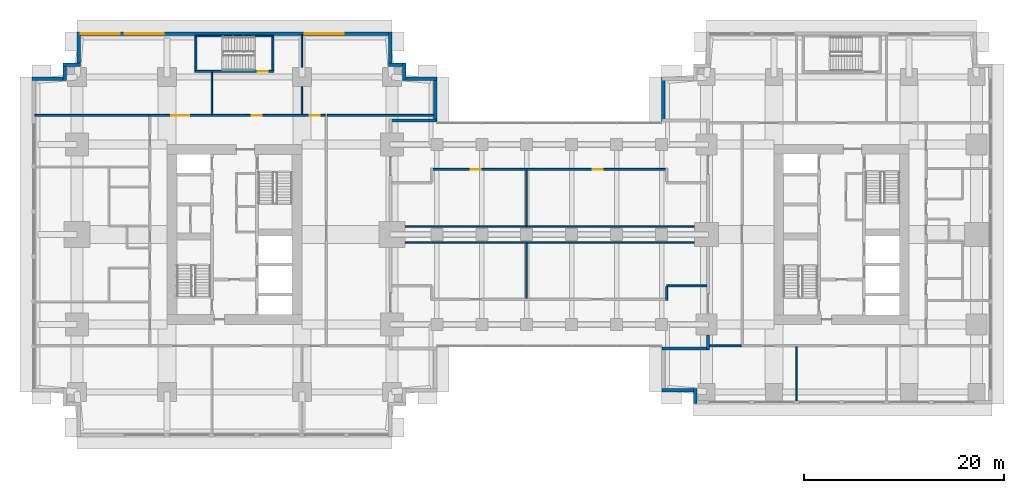
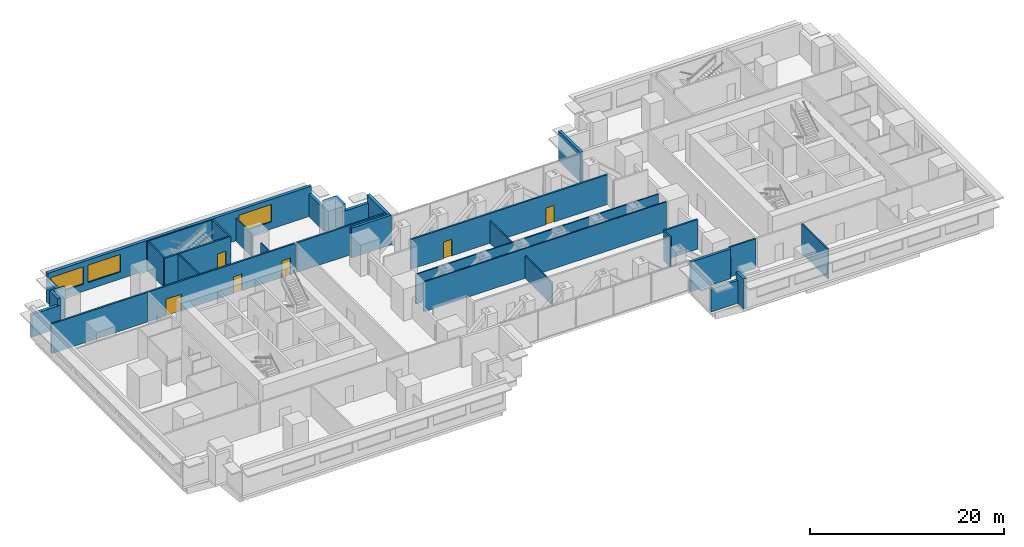
# One storey, part 9 of 16: 35 walls, 6 doors, 3 windows, 9 openings.
"""IFC4 building model written with IfcOpenShell, lengths in metres."""

from ifc_helpers import new_model, si_unit, direction, frame, frame_2d, origin, place, context, subcontext, project, spatial, rectangle, extrude, material, layer, layer_set, type_object, element, fill, save


model = new_model("IFC4")

# Units and contexts
model_context = context("Model", 3, precision=1e-05, world=origin(), true_north=direction((0.0, 1.0)))
body_context = subcontext(model_context, "Body", "Model", "MODEL_VIEW")
ifc_project = project(units=[si_unit("LENGTHUNIT", "METRE"), si_unit("AREAUNIT", "SQUARE_METRE"), si_unit("VOLUMEUNIT", "CUBIC_METRE"), si_unit("PLANEANGLEUNIT", "RADIAN"), si_unit("MASSUNIT", "GRAM", prefix="KILO")], contexts=[model_context])

# Site, building, storey
site_placement = place(None, origin())
site = spatial("IfcSite", under=ifc_project, at=site_placement, CompositionType="ELEMENT")
building_placement = place(site_placement, origin())
building = spatial("IfcBuilding", under=site, at=building_placement, Name="Namib Vertical Campus", CompositionType="ELEMENT")
storey_placement = place(building_placement, frame((0.0, 0.0, 117.0)))
storey = spatial("IfcBuildingStorey", under=building, at=storey_placement, Name="L27", CompositionType="ELEMENT", Elevation=117.0)

# Wall, openings, doors
ifc_material_1 = material(Name="Concrete masonry", Category="masonry")
ifc_layer_1 = layer(ifc_material_1, 0.199951171875)
ifc_layer_set_1 = layer_set([ifc_layer_1], Name="Corridor wall 200")
wall_type_1 = type_object("IfcWallType", Name="Corridor wall 200", PredefinedType="SOLIDWALL", material=ifc_layer_set_1)
wall_1_placement = place(storey_placement, frame((29.35009765625, 32.14990234375, 0.0), z_axis=(0.0, 0.0, 1.0), x_axis=(-1.0, 0.0, 0.0)))
wall_1 = element("IfcWall", 1, at=wall_1_placement, inside=storey, type_object=wall_type_1, Name="Corridor wall A L27 CN", PredefinedType="SOLIDWALL", context=body_context, shape_type="SweptSolid", body=[
    extrude(rectangle(XDim=17.650146484375, YDim=0.199951171875, at=frame_2d((8.8251953125, 0.0))), origin(), (0.0, 0.0, 1.0), 3.75),
])
opening_1_placement = place(wall_1_placement, frame((13.60009765625, 0.0, 0.0)))
opening_1 = element("IfcOpeningElement", 2, at=opening_1_placement, cuts=wall_1, Name="Opening CD2", PredefinedType="OPENING", context=body_context, shape_type="SweptSolid", body=[
    extrude(rectangle(XDim=1.800048828125, YDim=2.10009765625, at=frame_2d((0.89990234375, 1.050048828125))), frame((0.0, 0.10986328125, 0.0), z_axis=(0.0, -1.0, 0.0), x_axis=(1.0, 0.0, 0.0)), (0.0, 0.0, 1.0), 0.219970703125),
])
opening_2_placement = place(wall_1_placement, frame((6.35009765625, 0.0, 0.0)))
opening_2 = element("IfcOpeningElement", 3, at=opening_2_placement, cuts=wall_1, Name="Opening CD1", PredefinedType="OPENING", context=body_context, shape_type="SweptSolid", body=[
    extrude(rectangle(XDim=1.0, YDim=2.10009765625, at=frame_2d((0.5, 1.050048828125))), frame((0.0, 0.10986328125, 0.0), z_axis=(0.0, -1.0, 0.0), x_axis=(1.0, 0.0, 0.0)), (0.0, 0.0, 1.0), 0.219970703125),
])
opening_3_placement = place(wall_1_placement, frame((0.574951171875, 0.0, 0.0)))
opening_3 = element("IfcOpeningElement", 4, at=opening_3_placement, cuts=wall_1, Name="Opening CD1", PredefinedType="OPENING", context=body_context, shape_type="SweptSolid", body=[
    extrude(rectangle(XDim=1.0, YDim=2.10009765625, at=frame_2d((0.5, 1.050048828125))), frame((0.0, 0.10986328125, 0.0), z_axis=(0.0, -1.0, 0.0), x_axis=(1.0, 0.0, 0.0)), (0.0, 0.0, 1.0), 0.219970703125),
])
ifc_material_2 = material(Name="Timber fire door leaf", Category="wood")
door_type_1 = type_object("IfcDoorType", Name="Corridor door 1000x2100 20 min", OperationType="SINGLE_SWING_LEFT", PredefinedType="DOOR", material=ifc_material_2)
door_1_placement = place(opening_2_placement, frame((1.0, 0.0, 0.0), z_axis=(0.0, 0.0, 1.0), x_axis=(-1.0, 0.0, 0.0)))
door_1 = element("IfcDoor", 5, at=door_1_placement, inside=storey, type_object=door_type_1, Name="Door CD1 A27-06", OperationType="SINGLE_SWING_RIGHT", OverallHeight=2.10009765625, OverallWidth=1.0, PredefinedType="DOOR", context=body_context, shape_type="SweptSolid", body=[
    extrude(rectangle(XDim=1.0, YDim=2.10009765625, at=frame_2d((0.5, 1.050048828125))), frame((0.0, 0.02490234375, 0.0), z_axis=(0.0, -1.0, 0.0), x_axis=(1.0, 0.0, 0.0)), (0.0, 0.0, 1.0), 0.050048828125),
])
fill(opening_2, door_1)
door_2_placement = place(opening_3_placement, frame((1.0, 0.0, 0.0), z_axis=(0.0, 0.0, 1.0), x_axis=(-1.0, 0.0, 0.0)))
door_2 = element("IfcDoor", 6, at=door_2_placement, inside=storey, type_object=door_type_1, Name="Door CD1 A27-07", OperationType="SINGLE_SWING_LEFT", OverallHeight=2.10009765625, OverallWidth=1.0, PredefinedType="DOOR", context=body_context, shape_type="SweptSolid", body=[
    extrude(rectangle(XDim=1.0, YDim=2.10009765625, at=frame_2d((0.5, 1.050048828125))), frame((0.0, 0.02490234375, 0.0), z_axis=(0.0, -1.0, 0.0), x_axis=(1.0, 0.0, 0.0)), (0.0, 0.0, 1.0), 0.050048828125),
])
fill(opening_3, door_2)
ifc_material_3 = material(Name="Timber fire door leaf", Category="wood")
door_type_2 = type_object("IfcDoorType", Name="Corridor door double 1800x2100 20 min", OperationType="DOUBLE_DOOR_SINGLE_SWING", PredefinedType="DOOR", material=ifc_material_3)
door_3_placement = place(opening_1_placement, frame((1.800048828125, 0.0, 0.0), z_axis=(0.0, 0.0, 1.0), x_axis=(-1.0, 0.0, 0.0)))
door_3 = element("IfcDoor", 7, at=door_3_placement, inside=storey, type_object=door_type_2, Name="Door CD2 A27-05", OperationType="DOUBLE_DOOR_SINGLE_SWING", OverallHeight=2.10009765625, OverallWidth=1.800048828125, PredefinedType="DOOR", context=body_context, shape_type="SweptSolid", body=[
    extrude(rectangle(XDim=1.800048828125, YDim=2.10009765625, at=frame_2d((0.89990234375, 1.050048828125))), frame((0.0, 0.02490234375, 0.0), z_axis=(0.0, -1.0, 0.0), x_axis=(1.0, 0.0, 0.0)), (0.0, 0.0, 1.0), 0.050048828125),
])
fill(opening_1, door_3)

# Walls
wall_2_placement = place(storey_placement, frame((0.300048828125, 32.14990234375, 0.0), z_axis=(0.0, 0.0, 1.0), x_axis=(1.0, 0.0, 0.0)))
element("IfcWall", 8, at=wall_2_placement, inside=storey, type_object=wall_type_1, Name="Partition A L27 BNW", PredefinedType="SOLIDWALL", context=body_context, shape_type="SweptSolid", body=[
    extrude(rectangle(XDim=11.39990234375, YDim=0.199951171875, at=frame_2d((5.699951171875, 0.0))), origin(), (0.0, 0.0, 1.0), 3.75),
])
wall_3_placement = place(storey_placement, frame((29.550048828125, 32.14990234375, 0.0), z_axis=(0.0, 0.0, 1.0), x_axis=(1.0, 0.0, 0.0)))
element("IfcWall", 9, at=wall_3_placement, inside=storey, type_object=wall_type_1, Name="Partition A L27 BNE", PredefinedType="SOLIDWALL", context=body_context, shape_type="SweptSolid", body=[
    extrude(rectangle(XDim=10.64990234375, YDim=0.199951171875, at=frame_2d((5.324951171875, 0.0))), origin(), (0.0, 0.0, 1.0), 3.75),
])
wall_4_placement = place(storey_placement, frame((67.800048828125, 9.10009765625, 0.0), z_axis=(0.0, 0.0, 1.0), x_axis=(1.0, 0.0, 0.0)))
element("IfcWall", 10, at=wall_4_placement, inside=storey, type_object=wall_type_1, Name="Partition B L27 BSW", PredefinedType="SOLIDWALL", context=body_context, shape_type="SweptSolid", body=[
    extrude(rectangle(XDim=3.14990234375, YDim=0.199951171875, at=frame_2d((1.574951171875, 0.0))), origin(), (0.0, 0.0, 1.0), 3.75),
])
wall_5_placement = place(storey_placement, frame((63.5, 15.10009765625, 0.0), z_axis=(0.0, 0.0, 1.0), x_axis=(1.0, 0.0, 0.0)))
element("IfcWall", 11, at=wall_5_placement, inside=storey, type_object=wall_type_1, Name="Lobby wall L27 E", PredefinedType="SOLIDWALL", context=body_context, shape_type="SweptSolid", body=[
    extrude(rectangle(XDim=4.0, YDim=0.199951171875, at=frame_2d((2.0, 0.0))), origin(), (0.0, 0.0, 1.0), 3.75),
])
wall_6_placement = place(storey_placement, frame((63.5, 13.64990234375, 0.0), z_axis=(0.0, 0.0, 1.0), x_axis=(0.0, 1.0, 0.0)))
element("IfcWall", 12, at=wall_6_placement, inside=storey, type_object=wall_type_1, Name="Lobby side wall L27 E", PredefinedType="SOLIDWALL", context=body_context, shape_type="SweptSolid", body=[
    extrude(rectangle(XDim=1.35009765625, YDim=0.199951171875, at=frame_2d((0.675048828125, 0.0))), origin(), (0.0, 0.0, 1.0), 3.75),
])

# Wall, openings, doors
wall_7_placement = place(storey_placement, frame((40.0, 26.75, 0.0), z_axis=(0.0, 0.0, 1.0), x_axis=(1.0, 0.0, 0.0)))
wall_7 = element("IfcWall", 13, at=wall_7_placement, inside=storey, type_object=wall_type_1, Name="North corridor wall L27", PredefinedType="SOLIDWALL", context=body_context, shape_type="SweptSolid", body=[
    extrude(rectangle(XDim=23.5, YDim=0.199951171875, at=frame_2d((11.75, 0.0))), origin(), (0.0, 0.0, 1.0), 3.75),
])
opening_4_placement = place(wall_7_placement, frame((3.89990234375, 0.0, 0.0)))
opening_4 = element("IfcOpeningElement", 14, at=opening_4_placement, cuts=wall_7, Name="Opening CD1", PredefinedType="OPENING", context=body_context, shape_type="SweptSolid", body=[
    extrude(rectangle(XDim=1.0, YDim=2.10009765625, at=frame_2d((0.5, 1.050048828125))), frame((0.0, 0.10986328125, 0.0), z_axis=(0.0, -1.0, 0.0), x_axis=(1.0, 0.0, 0.0)), (0.0, 0.0, 1.0), 0.219970703125),
])
opening_5_placement = place(wall_7_placement, frame((16.10009765625, 0.0, 0.0)))
opening_5 = element("IfcOpeningElement", 15, at=opening_5_placement, cuts=wall_7, Name="Opening CD1", PredefinedType="OPENING", context=body_context, shape_type="SweptSolid", body=[
    extrude(rectangle(XDim=1.0, YDim=2.10009765625, at=frame_2d((0.5, 1.050048828125))), frame((0.0, 0.10986328125, 0.0), z_axis=(0.0, -1.0, 0.0), x_axis=(1.0, 0.0, 0.0)), (0.0, 0.0, 1.0), 0.219970703125),
])
door_4_placement = place(opening_4_placement, frame((1.0, 0.0, 0.0), z_axis=(0.0, 0.0, 1.0), x_axis=(-1.0, 0.0, 0.0)))
door_4 = element("IfcDoor", 16, at=door_4_placement, inside=storey, type_object=door_type_1, Name="Door CD1 BR27-05", OperationType="SINGLE_SWING_RIGHT", OverallHeight=2.10009765625, OverallWidth=1.0, PredefinedType="DOOR", context=body_context, shape_type="SweptSolid", body=[
    extrude(rectangle(XDim=1.0, YDim=2.10009765625, at=frame_2d((0.5, 1.050048828125))), frame((0.0, 0.02490234375, 0.0), z_axis=(0.0, -1.0, 0.0), x_axis=(1.0, 0.0, 0.0)), (0.0, 0.0, 1.0), 0.050048828125),
])
fill(opening_4, door_4)
door_5_placement = place(opening_5_placement, frame((1.0, 0.0, 0.0), z_axis=(0.0, 0.0, 1.0), x_axis=(-1.0, 0.0, 0.0)))
door_5 = element("IfcDoor", 17, at=door_5_placement, inside=storey, type_object=door_type_1, Name="Door CD1 BR27-06", OperationType="SINGLE_SWING_LEFT", OverallHeight=2.10009765625, OverallWidth=1.0, PredefinedType="DOOR", context=body_context, shape_type="SweptSolid", body=[
    extrude(rectangle(XDim=1.0, YDim=2.10009765625, at=frame_2d((0.5, 1.050048828125))), frame((0.0, 0.02490234375, 0.0), z_axis=(0.0, -1.0, 0.0), x_axis=(1.0, 0.0, 0.0)), (0.0, 0.0, 1.0), 0.050048828125),
])
fill(opening_5, door_5)

# Walls
ifc_material_4 = material(Name="Concrete C40/50", Category="concrete")
ifc_layer_2 = layer(ifc_material_4, 0.35009765625)
ifc_layer_set_2 = layer_set([ifc_layer_2], Name="Concrete C40/50")
wall_type_2 = type_object("IfcWallType", Name="External wall 350 bush-hammered concrete", PredefinedType="STANDARD", material=ifc_layer_set_2)
wall_8_placement = place(storey_placement, frame((40.324951171875, 31.52001953125, 0.0), z_axis=(0.0, 0.0, 1.0), x_axis=(0.0, 1.0, 0.0)))
element("IfcWall", 18, at=wall_8_placement, inside=storey, type_object=wall_type_2, Name="External wall L27 F11", PredefinedType="STANDARD", context=body_context, shape_type="SweptSolid", body=[
    extrude(rectangle(XDim=4.4599609375, YDim=0.35009765625, at=frame_2d((2.22998046875, 0.0))), origin(), (0.0, 0.0, 1.0), 3.75),
])
wall_9_placement = place(storey_placement, frame((40.47998046875, 35.824951171875, 0.0), z_axis=(0.0, 0.0, 1.0), x_axis=(-1.0, 0.0, 0.0)))
element("IfcWall", 19, at=wall_9_placement, inside=storey, type_object=wall_type_2, Name="External wall L27 F12", PredefinedType="STANDARD", context=body_context, shape_type="SweptSolid", body=[
    extrude(rectangle(XDim=3.409912109375, YDim=0.35009765625, at=frame_2d((1.705078125, 0.0))), origin(), (0.0, 0.0, 1.0), 2.85009765625),
])
for number, where, z_axis, x_axis, name in (
    (20, (37.22509765625, 35.669921875, 0.0), (0.0, 0.0, 1.0), (0.0, 1.0, 0.0), "External wall L27 F13"),
    (21, (37.3798828125, 37.22509765625, 0.0), (0.0, 0.0, 1.0), (-1.0, 0.0, 0.0), "External wall L27 F14"),
):
    element("IfcWall", number, at=place(storey_placement, frame(where, z_axis=z_axis, x_axis=x_axis)), inside=storey, type_object=wall_type_2, Name=name, PredefinedType="STANDARD", context=body_context, shape_type="SweptSolid", body=[
        extrude(rectangle(XDim=1.7099609375, YDim=0.35009765625, at=frame_2d((0.85498046875, 0.0))), origin(), (0.0, 0.0, 1.0), 3.75),
    ])
wall_10_placement = place(storey_placement, frame((35.824951171875, 37.070068359375, 0.0), z_axis=(0.0, 0.0, 1.0), x_axis=(0.0, 1.0, 0.0)))
element("IfcWall", 22, at=wall_10_placement, inside=storey, type_object=wall_type_2, Name="External wall L27 F15", PredefinedType="STANDARD", context=body_context, shape_type="SweptSolid", body=[
    extrude(rectangle(XDim=3.409912109375, YDim=0.35009765625, at=frame_2d((1.705078125, 0.0))), origin(), (0.0, 0.0, 1.0), 2.85009765625),
])

# Wall, openings, windows
wall_11_placement = place(storey_placement, frame((35.97998046875, 40.324951171875, 0.0), z_axis=(0.0, 0.0, 1.0), x_axis=(-1.0, 0.0, 0.0)))
wall_11 = element("IfcWall", 23, at=wall_11_placement, inside=storey, type_object=wall_type_2, Name="External wall L27 F16", PredefinedType="STANDARD", context=body_context, shape_type="SweptSolid", body=[
    extrude(rectangle(XDim=31.4599609375, YDim=0.35009765625, at=frame_2d((15.72998046875, 0.0))), origin(), (0.0, 0.0, 1.0), 3.75),
])
opening_6_placement = place(wall_11_placement, frame((27.2099609375, 0.0, 0.89990234375)))
opening_6 = element("IfcOpeningElement", 24, at=opening_6_placement, cuts=wall_11, Name="Opening W1", PredefinedType="OPENING", context=body_context, shape_type="SweptSolid", body=[
    extrude(rectangle(XDim=3.89990234375, YDim=2.199951171875, at=frame_2d((1.949951171875, 1.10009765625))), frame((0.0, 0.18505859375, 0.0), z_axis=(0.0, -1.0, 0.0), x_axis=(1.0, 0.0, 0.0)), (0.0, 0.0, 1.0), 0.3701171875),
])
opening_7_placement = place(wall_11_placement, frame((22.780029296875, 0.0, 0.89990234375)))
opening_7 = element("IfcOpeningElement", 25, at=opening_7_placement, cuts=wall_11, Name="Opening W1", PredefinedType="OPENING", context=body_context, shape_type="SweptSolid", body=[
    extrude(rectangle(XDim=3.89990234375, YDim=2.199951171875, at=frame_2d((1.949951171875, 1.10009765625))), frame((0.0, 0.18505859375, 0.0), z_axis=(0.0, -1.0, 0.0), x_axis=(1.0, 0.0, 0.0)), (0.0, 0.0, 1.0), 0.3701171875),
])
opening_8_placement = place(wall_11_placement, frame((4.780029296875, 0.0, 0.89990234375)))
opening_8 = element("IfcOpeningElement", 26, at=opening_8_placement, cuts=wall_11, Name="Opening W1", PredefinedType="OPENING", context=body_context, shape_type="SweptSolid", body=[
    extrude(rectangle(XDim=3.89990234375, YDim=2.199951171875, at=frame_2d((1.949951171875, 1.10009765625))), frame((0.0, 0.18505859375, 0.0), z_axis=(0.0, -1.0, 0.0), x_axis=(1.0, 0.0, 0.0)), (0.0, 0.0, 1.0), 0.3701171875),
])
ifc_material_5 = material(Name="Dark tinted glass in black aluminium frame", Category="aluminium")
window_type = type_object("IfcWindowType", Name="Ribbon window 3900x2200", PartitioningType="SINGLE_PANEL", PredefinedType="WINDOW", material=ifc_material_5)
window_1_placement = place(opening_6_placement, origin())
window_1 = element("IfcWindow", 27, at=window_1_placement, inside=storey, type_object=window_type, Name="Window W1 L27 F16-1", OverallHeight=2.199951171875, OverallWidth=3.89990234375, PartitioningType="SINGLE_PANEL", PredefinedType="WINDOW", context=body_context, shape_type="SweptSolid", body=[
    extrude(rectangle(XDim=3.89990234375, YDim=2.199951171875, at=frame_2d((1.949951171875, 1.10009765625))), frame((0.0, 0.030029296875, 0.0), z_axis=(0.0, -1.0, 0.0), x_axis=(1.0, 0.0, 0.0)), (0.0, 0.0, 1.0), 0.06005859375),
])
fill(opening_6, window_1)
window_2_placement = place(opening_7_placement, origin())
window_2 = element("IfcWindow", 28, at=window_2_placement, inside=storey, type_object=window_type, Name="Window W1 L27 F16-2", OverallHeight=2.199951171875, OverallWidth=3.89990234375, PartitioningType="SINGLE_PANEL", PredefinedType="WINDOW", context=body_context, shape_type="SweptSolid", body=[
    extrude(rectangle(XDim=3.89990234375, YDim=2.199951171875, at=frame_2d((1.949951171875, 1.10009765625))), frame((0.0, 0.030029296875, 0.0), z_axis=(0.0, -1.0, 0.0), x_axis=(1.0, 0.0, 0.0)), (0.0, 0.0, 1.0), 0.06005859375),
])
fill(opening_7, window_2)
window_3_placement = place(opening_8_placement, origin())
window_3 = element("IfcWindow", 29, at=window_3_placement, inside=storey, type_object=window_type, Name="Window W1 L27 F16-6", OverallHeight=2.199951171875, OverallWidth=3.89990234375, PartitioningType="SINGLE_PANEL", PredefinedType="WINDOW", context=body_context, shape_type="SweptSolid", body=[
    extrude(rectangle(XDim=3.89990234375, YDim=2.199951171875, at=frame_2d((1.949951171875, 1.10009765625))), frame((0.0, 0.030029296875, 0.0), z_axis=(0.0, -1.0, 0.0), x_axis=(1.0, 0.0, 0.0)), (0.0, 0.0, 1.0), 0.06005859375),
])
fill(opening_8, window_3)

# Walls
wall_12_placement = place(storey_placement, frame((4.675048828125, 40.47998046875, 0.0), z_axis=(0.0, 0.0, 1.0), x_axis=(0.0, -1.0, 0.0)))
element("IfcWall", 30, at=wall_12_placement, inside=storey, type_object=wall_type_2, Name="External wall L27 F17", PredefinedType="STANDARD", context=body_context, shape_type="SweptSolid", body=[
    extrude(rectangle(XDim=3.409912109375, YDim=0.35009765625, at=frame_2d((1.705078125, 0.0))), origin(), (0.0, 0.0, 1.0), 2.85009765625),
])
for number, where, z_axis, x_axis, name in (
    (31, (4.830078125, 37.22509765625, 0.0), (0.0, 0.0, 1.0), (-1.0, 0.0, 0.0), "External wall L27 F18"),
    (32, (3.27490234375, 37.3798828125, 0.0), (0.0, 0.0, 1.0), (0.0, -1.0, 0.0), "External wall L27 F19"),
):
    element("IfcWall", number, at=place(storey_placement, frame(where, z_axis=z_axis, x_axis=x_axis)), inside=storey, type_object=wall_type_2, Name=name, PredefinedType="STANDARD", context=body_context, shape_type="SweptSolid", body=[
        extrude(rectangle(XDim=1.7099609375, YDim=0.35009765625, at=frame_2d((0.85498046875, 0.0))), origin(), (0.0, 0.0, 1.0), 3.75),
    ])
wall_13_placement = place(storey_placement, frame((3.429931640625, 35.824951171875, 0.0), z_axis=(0.0, 0.0, 1.0), x_axis=(-1.0, 0.0, 0.0)))
element("IfcWall", 33, at=wall_13_placement, inside=storey, type_object=wall_type_2, Name="External wall L27 F20", PredefinedType="STANDARD", context=body_context, shape_type="SweptSolid", body=[
    extrude(rectangle(XDim=3.409912109375, YDim=0.35009765625, at=frame_2d((1.705078125, 0.0))), origin(), (0.0, 0.0, 1.0), 2.85009765625),
])
wall_14_placement = place(storey_placement, frame((63.02001953125, 4.675048828125, 0.0), z_axis=(0.0, 0.0, 1.0), x_axis=(1.0, 0.0, 0.0)))
element("IfcWall", 34, at=wall_14_placement, inside=storey, type_object=wall_type_2, Name="External wall L27 F02", PredefinedType="STANDARD", context=body_context, shape_type="SweptSolid", body=[
    extrude(rectangle(XDim=3.510009765625, YDim=0.35009765625, at=frame_2d((1.7548828125, 0.0))), origin(), (0.0, 0.0, 1.0), 2.85009765625),
])
wall_15_placement = place(storey_placement, frame((66.375, 4.830078125, 0.0), z_axis=(0.0, 0.0, 1.0), x_axis=(0.0, -1.0, 0.0)))
element("IfcWall", 35, at=wall_15_placement, inside=storey, type_object=wall_type_2, Name="External wall L27 F03", PredefinedType="STANDARD", context=body_context, shape_type="SweptSolid", body=[
    extrude(rectangle(XDim=1.510009765625, YDim=0.35009765625, at=frame_2d((0.7548828125, 0.0))), origin(), (0.0, 0.0, 1.0), 3.75),
])
wall_16_placement = place(storey_placement, frame((63.175048828125, 35.97998046875, 0.0), z_axis=(0.0, 0.0, 1.0), x_axis=(0.0, -1.0, 0.0)))
element("IfcWall", 36, at=wall_16_placement, inside=storey, type_object=wall_type_2, Name="External wall L27 F13", PredefinedType="STANDARD", context=body_context, shape_type="SweptSolid", body=[
    extrude(rectangle(XDim=4.4599609375, YDim=0.35009765625, at=frame_2d((2.22998046875, 0.0))), origin(), (0.0, 0.0, 1.0), 3.75),
])
ifc_material_6 = material(Name="Concrete masonry", Category="masonry")
ifc_layer_3 = layer(ifc_material_6, 0.300048828125)
ifc_layer_set_3 = layer_set([ifc_layer_3], Name="Fire wall 300")
wall_type_3 = type_object("IfcWallType", Name="Fire wall 300", PredefinedType="SOLIDWALL", material=ifc_layer_set_3)
wall_17_placement = place(storey_placement, frame((35.719970703125, 31.64990234375, 0.0), z_axis=(0.0, 0.0, 1.0), x_axis=(1.0, 0.0, 0.0)))
element("IfcWall", 37, at=wall_17_placement, inside=storey, type_object=wall_type_3, Name="External wall L27 F10", PredefinedType="SOLIDWALL", context=body_context, shape_type="SweptSolid", body=[
    extrude(rectangle(XDim=4.760009765625, YDim=0.300048828125, at=frame_2d((2.3798828125, 0.0))), origin(), (0.0, 0.0, 1.0), 3.75),
])
wall_18_placement = place(storey_placement, frame((67.64990234375, 10.199951171875, 0.0), z_axis=(0.0, 0.0, 1.0), x_axis=(0.0, -1.0, 0.0)))
element("IfcWall", 38, at=wall_18_placement, inside=storey, type_object=wall_type_3, Name="External wall L27 F15", PredefinedType="SOLIDWALL", context=body_context, shape_type="SweptSolid", body=[
    extrude(rectangle(XDim=1.47998046875, YDim=0.300048828125, at=frame_2d((0.739990234375, 0.0))), origin(), (0.0, 0.0, 1.0), 2.64990234375),
])
wall_19_placement = place(storey_placement, frame((67.780029296875, 8.85009765625, 0.0), z_axis=(0.0, 0.0, 1.0), x_axis=(-1.0, 0.0, 0.0)))
element("IfcWall", 39, at=wall_19_placement, inside=storey, type_object=wall_type_3, Name="External wall L27 F16", PredefinedType="SOLIDWALL", context=body_context, shape_type="SweptSolid", body=[
    extrude(rectangle(XDim=4.760009765625, YDim=0.300048828125, at=frame_2d((2.3798828125, 0.0))), origin(), (0.0, 0.0, 1.0), 3.75),
])
ifc_material_7 = material(Name="Gypsum board on steel studs", Category="steel")
ifc_layer_4 = layer(ifc_material_7, 0.14990234375)
ifc_layer_set_4 = layer_set([ifc_layer_4], Name="Gypsum board on steel studs")
wall_type_4 = type_object("IfcWallType", Name="Partition 150", PredefinedType="PARTITIONING", material=ifc_layer_set_4)
wall_20_placement = place(storey_placement, frame((18.0, 32.25, 0.0), z_axis=(0.0, 0.0, 1.0), x_axis=(0.0, 1.0, 0.0)))
element("IfcWall", 40, at=wall_20_placement, inside=storey, type_object=wall_type_4, Name="Partition A L27 PN1", PredefinedType="PARTITIONING", context=body_context, shape_type="SweptSolid", body=[
    extrude(rectangle(XDim=4.199951171875, YDim=0.14990234375, at=frame_2d((2.10009765625, 0.0))), origin(), (0.0, 0.0, 1.0), 3.75),
])
wall_21_placement = place(storey_placement, frame((27.0, 32.25, 0.0), z_axis=(0.0, 0.0, 1.0), x_axis=(0.0, 1.0, 0.0)))
element("IfcWall", 41, at=wall_21_placement, inside=storey, type_object=wall_type_4, Name="Partition A L27 PN2", PredefinedType="PARTITIONING", context=body_context, shape_type="SweptSolid", body=[
    extrude(rectangle(XDim=2.780029296875, YDim=0.14990234375, at=frame_2d((1.39013671875, 0.0))), origin(), (0.0, 0.0, 1.0), 2.85009765625),
])
wall_22_placement = place(storey_placement, frame((27.0, 36.969970703125, 0.0), z_axis=(0.0, 0.0, 1.0), x_axis=(0.0, 1.0, 0.0)))
element("IfcWall", 42, at=wall_22_placement, inside=storey, type_object=wall_type_4, Name="Partition A L27 PN2", PredefinedType="PARTITIONING", context=body_context, shape_type="SweptSolid", body=[
    extrude(rectangle(XDim=3.22998046875, YDim=0.14990234375, at=frame_2d((1.614990234375, 0.0))), origin(), (0.0, 0.0, 1.0), 2.85009765625),
])
wall_23_placement = place(storey_placement, frame((76.5, 3.60009765625, 0.0), z_axis=(0.0, 0.0, 1.0), x_axis=(0.0, 1.0, 0.0)))
element("IfcWall", 43, at=wall_23_placement, inside=storey, type_object=wall_type_4, Name="Partition B L27 PS1", PredefinedType="PARTITIONING", context=body_context, shape_type="SweptSolid", body=[
    extrude(rectangle(XDim=5.39990234375, YDim=0.14990234375, at=frame_2d((2.699951171875, 0.0))), origin(), (0.0, 0.0, 1.0), 3.75),
])
for number, where, z_axis, x_axis, name in (
    (44, (37.320068359375, 19.449951171875, 0.0), (0.0, 0.0, 1.0), (1.0, 0.0, 0.0), "Spine wall L27 S"),
    (45, (37.320068359375, 21.050048828125, 0.0), (0.0, 0.0, 1.0), (1.0, 0.0, 0.0), "Spine wall L27 N"),
):
    element("IfcWall", number, at=place(storey_placement, frame(where, z_axis=z_axis, x_axis=x_axis)), inside=storey, type_object=wall_type_4, Name=name, PredefinedType="PARTITIONING", context=body_context, shape_type="SweptSolid", body=[
        extrude(rectangle(XDim=28.9599609375, YDim=0.14990234375, at=frame_2d((14.47998046875, 0.0))), origin(), (0.0, 0.0, 1.0), 3.75),
    ])
for number, where, z_axis, x_axis, name in (
    (46, (49.5, 13.85009765625, 0.0), (0.0, 0.0, 1.0), (0.0, 1.0, 0.0), "Partition bridge L27 S1"),
    (47, (49.5, 26.64990234375, 0.0), (0.0, 0.0, 1.0), (0.0, -1.0, 0.0), "Partition bridge L27 N1"),
):
    element("IfcWall", number, at=place(storey_placement, frame(where, z_axis=z_axis, x_axis=x_axis)), inside=storey, type_object=wall_type_4, Name=name, PredefinedType="PARTITIONING", context=body_context, shape_type="SweptSolid", body=[
        extrude(rectangle(XDim=5.52490234375, YDim=0.14990234375, at=frame_2d((2.762451171875, 0.0))), origin(), (0.0, 0.0, 1.0), 2.82958984375),
    ])
ifc_material_8 = material(Name="Concrete C40/50", Category="concrete")
ifc_layer_5 = layer(ifc_material_8, 0.14990234375)
ifc_layer_set_5 = layer_set([ifc_layer_5], Name="Concrete C40/50")
wall_type_5 = type_object("IfcWallType", Name="Stair enclosure wall RC 150", PredefinedType="SOLIDWALL", material=ifc_layer_set_5)
wall_24_placement = place(storey_placement, frame((16.300048828125, 40.074951171875, 0.0), z_axis=(0.0, 0.0, 1.0), x_axis=(1.0, 0.0, 0.0)))
element("IfcWall", 48, at=wall_24_placement, inside=storey, type_object=wall_type_5, Name="Stair enclosure wall A-S3 L27 N", PredefinedType="SOLIDWALL", context=body_context, shape_type="SweptSolid", body=[
    extrude(rectangle(XDim=7.89990234375, YDim=0.14990234375, at=frame_2d((3.949951171875, 0.0))), origin(), (0.0, 0.0, 1.0), 3.75),
])

# Wall, opening, door
ifc_material_9 = material(Name="Concrete C40/50", Category="concrete")
ifc_layer_6 = layer(ifc_material_9, 0.199951171875)
ifc_layer_set_6 = layer_set([ifc_layer_6], Name="Concrete C40/50")
wall_type_6 = type_object("IfcWallType", Name="Stair enclosure wall RC 200", PredefinedType="SOLIDWALL", material=ifc_layer_set_6)
wall_25_placement = place(storey_placement, frame((16.300048828125, 36.550048828125, 0.0), z_axis=(0.0, 0.0, 1.0), x_axis=(1.0, 0.0, 0.0)))
wall_25 = element("IfcWall", 49, at=wall_25_placement, inside=storey, type_object=wall_type_6, Name="Stair enclosure wall A-S3 L27 S", PredefinedType="SOLIDWALL", context=body_context, shape_type="SweptSolid", body=[
    extrude(rectangle(XDim=7.89990234375, YDim=0.199951171875, at=frame_2d((3.949951171875, 0.0))), origin(), (0.0, 0.0, 1.0), 3.75),
])
opening_9_placement = place(wall_25_placement, frame((6.300048828125, 0.0, 0.0)))
opening_9 = element("IfcOpeningElement", 50, at=opening_9_placement, cuts=wall_25, Name="Opening FD1", PredefinedType="OPENING", context=body_context, shape_type="SweptSolid", body=[
    extrude(rectangle(XDim=1.0, YDim=2.10009765625, at=frame_2d((0.5, 1.050048828125))), frame((0.0, 0.10986328125, 0.0), z_axis=(0.0, -1.0, 0.0), x_axis=(1.0, 0.0, 0.0)), (0.0, 0.0, 1.0), 0.219970703125),
])
ifc_material_10 = material(Name="Steel fire door", Category="steel")
door_type_3 = type_object("IfcDoorType", Name="Fire door 1000x2100", OperationType="SINGLE_SWING_RIGHT", PredefinedType="DOOR", material=ifc_material_10)
door_6_placement = place(opening_9_placement, origin())
door_6 = element("IfcDoor", 51, at=door_6_placement, inside=storey, type_object=door_type_3, Name="Stair door FD1 A L27 S3", OperationType="SINGLE_SWING_RIGHT", OverallHeight=2.10009765625, OverallWidth=1.0, PredefinedType="DOOR", context=body_context, shape_type="SweptSolid", body=[
    extrude(rectangle(XDim=1.0, YDim=2.10009765625, at=frame_2d((0.5, 1.050048828125))), frame((0.0, 0.02490234375, 0.0), z_axis=(0.0, -1.0, 0.0), x_axis=(1.0, 0.0, 0.0)), (0.0, 0.0, 1.0), 0.050048828125),
])
fill(opening_9, door_6)

# Walls
for number, where, z_axis, x_axis, name in (
    (52, (16.39990234375, 36.64990234375, 0.0), (0.0, 0.0, 1.0), (0.0, 1.0, 0.0), "Stair enclosure wall A-S3 L27 W"),
    (53, (24.10009765625, 36.64990234375, 0.0), (0.0, 0.0, 1.0), (0.0, 1.0, 0.0), "Stair enclosure wall A-S3 L27 E"),
):
    element("IfcWall", number, at=place(storey_placement, frame(where, z_axis=z_axis, x_axis=x_axis)), inside=storey, type_object=wall_type_6, Name=name, PredefinedType="SOLIDWALL", context=body_context, shape_type="SweptSolid", body=[
        extrude(rectangle(XDim=3.35009765625, YDim=0.199951171875, at=frame_2d((1.675048828125, 0.0))), origin(), (0.0, 0.0, 1.0), 3.75),
    ])

save(model, "model.ifc")
